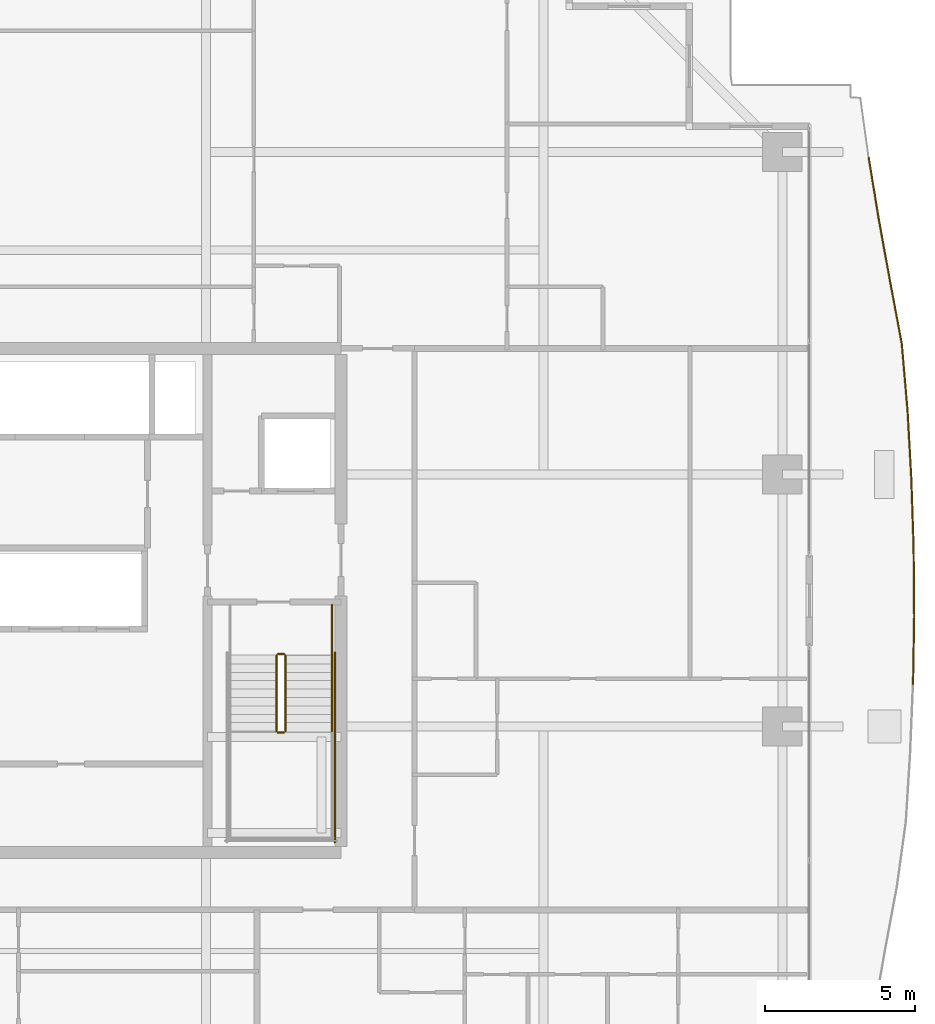
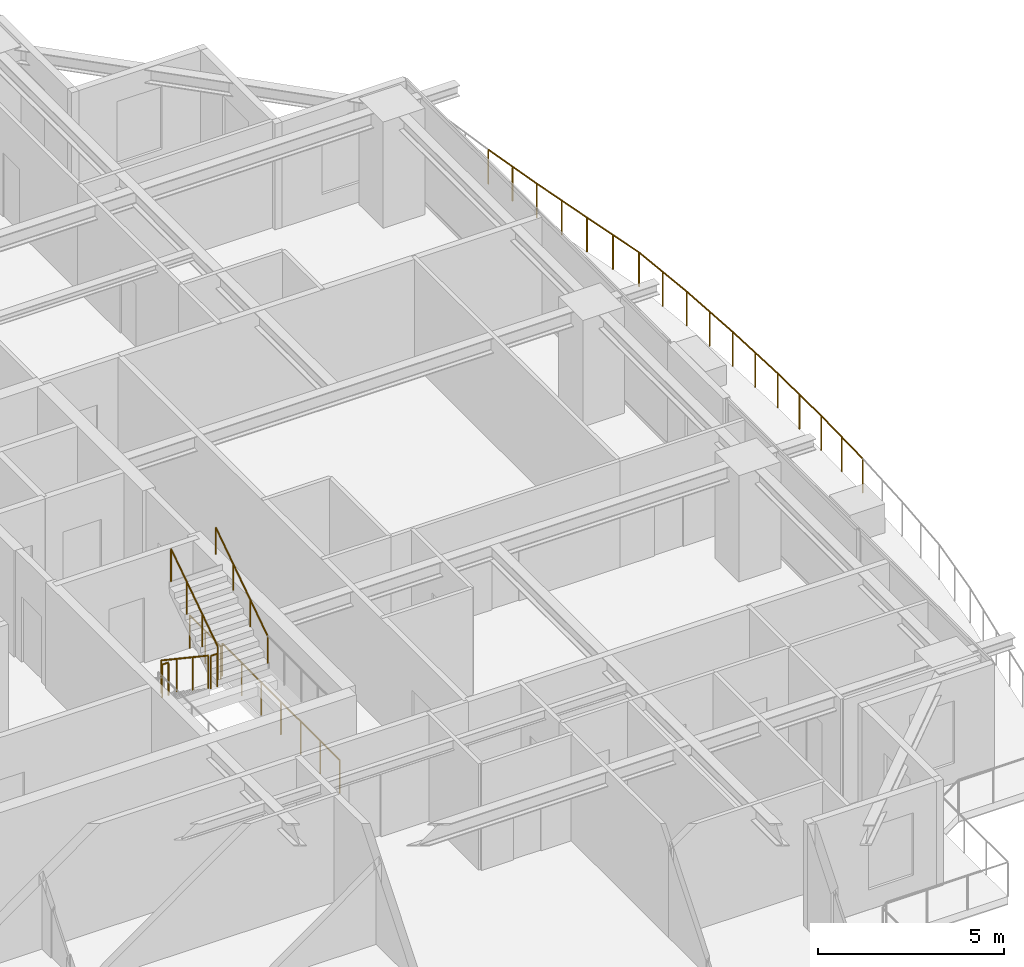
# One storey, part 32 of 33: 8 railings.
"""IFC4 building model written with IfcOpenShell, lengths in metres."""

from ifc_helpers import new_model, si_unit, direction, frame, origin, origin_2d, place, context, subcontext, project, spatial, circle, extrude, material, type_object, element, save


model = new_model("IFC4")

# Units and contexts
model_context = context("Model", 3, precision=1e-05, world=origin(), true_north=direction((0.0, 1.0)))
body_context = subcontext(model_context, "Body", "Model", "MODEL_VIEW")
ifc_project = project(units=[si_unit("LENGTHUNIT", "METRE"), si_unit("AREAUNIT", "SQUARE_METRE"), si_unit("VOLUMEUNIT", "CUBIC_METRE"), si_unit("PLANEANGLEUNIT", "RADIAN"), si_unit("MASSUNIT", "GRAM", prefix="KILO")], contexts=[model_context])

# Site, building, storey
site_placement = place(None, origin())
site = spatial("IfcSite", under=ifc_project, at=site_placement, CompositionType="ELEMENT")
building_placement = place(site_placement, origin())
building = spatial("IfcBuilding", under=site, at=building_placement, Name="Serunith Strait Residences", CompositionType="ELEMENT")
storey_placement = place(building_placement, frame((0.0, 0.0, 165.14990234375)))
storey = spatial("IfcBuildingStorey", under=building, at=storey_placement, Name="L41", CompositionType="ELEMENT", Elevation=165.14990234375)

# Railings
ifc_material_1 = material(Name="Stainless Steel & Laminated Glass Balustrade", Category="steel")
railing_type_1 = type_object("IfcRailingType", Name="RLG-BALC-1150", PredefinedType="BALUSTRADE", material=ifc_material_1)
railing_1_placement = place(storey_placement, frame((58.982666015625, 39.9501953125, -0.0498046875)))
element("IfcRailing", 1, at=railing_1_placement, inside=storey, type_object=railing_type_1, Name="L41 Swirling Balcony Perimeter Balustrade 5", PredefinedType="BALUSTRADE", context=body_context, shape_type="SweptSolid", body=[
    extrude(circle(Radius=0.02392578125, at=origin_2d()), frame((0.000244140625, -0.001953125, 1.1259765625), z_axis=(0.161134266289, -0.986932494261, 0.0), x_axis=(0.986932494261, 0.161134266289, 0.0)), (0.0, 0.0, 1.0), 2.0458984375),
    extrude(circle(Radius=0.02392578125, at=origin_2d()), frame((0.33056640625, -2.025146484375, 1.1259765625), z_axis=(0.1788854382, -0.9838699101, 0.0), x_axis=(0.9838699101, 0.1788854382, 0.0)), (0.0, 0.0, 1.0), 2.089599609375),
    extrude(circle(Radius=0.02392578125, at=origin_2d()), frame((0.705322265625, -4.0849609375, 1.1259765625), z_axis=(0.183966471948, -0.982932519148, 0.0), x_axis=(0.982932519148, 0.183966471948, 0.0)), (0.0, 0.0, 1.0), 2.147216796875),
    extrude(circle(Radius=0.02392578125, at=origin_2d()), frame((1.100830078125, -6.199462890625, 1.1259765625), z_axis=(0.086219359888, -0.996276177563, 0.0), x_axis=(0.996276177563, 0.086219359888, 0.0)), (0.0, 0.0, 1.0), 2.230224609375),
    extrude(circle(Radius=0.02392578125, at=origin_2d()), frame((1.293212890625, -8.42529296875, 1.1259765625), z_axis=(0.055267541765, -0.998471581382, 0.0), x_axis=(0.998471581382, 0.055267541765, 0.0)), (0.0, 0.0, 1.0), 2.2666015625),
    extrude(circle(Radius=0.02392578125, at=origin_2d()), frame((1.418701171875, -10.6923828125, 1.1259765625), z_axis=(0.033126858064, -0.999451155022, 0.0), x_axis=(0.999451155022, 0.033126858064, 0.0)), (0.0, 0.0, 1.0), 2.2880859375),
    extrude(circle(Radius=0.02392578125, at=origin_2d()), frame((1.49462890625, -12.983154296875, 1.1259765625), z_axis=(0.008378112985, -0.999964902996, 0.0), x_axis=(0.999964902996, 0.008378112985, 0.0)), (0.0, 0.0, 1.0), 2.298095703125),
    extrude(circle(Radius=0.02392578125, at=origin_2d()), frame((1.513916015625, -15.28515625, 1.1259765625), z_axis=(-0.01709242728, -0.999853913794, 0.0), x_axis=(0.999853913794, -0.01709242728, 0.0)), (0.0, 0.0, 1.0), 2.295654296875),
    extrude(circle(Radius=0.02099609375, at=origin_2d()), origin(), (0.0, 0.0, 1.0), 1.099853515625),
    extrude(circle(Radius=0.02099609375, at=origin_2d()), frame((0.1650390625, -1.01171875, 0.0)), (0.0, 0.0, 1.0), 1.099853515625),
    extrude(circle(Radius=0.02099609375, at=origin_2d()), frame((0.330322265625, -2.023193359375, 0.0)), (0.0, 0.0, 1.0), 1.099853515625),
    extrude(circle(Radius=0.02099609375, at=origin_2d()), frame((0.517578125, -3.05322265625, 0.0)), (0.0, 0.0, 1.0), 1.099853515625),
    extrude(circle(Radius=0.02099609375, at=origin_2d()), frame((0.704833984375, -4.0830078125, 0.0)), (0.0, 0.0, 1.0), 1.099853515625),
    extrude(circle(Radius=0.02099609375, at=origin_2d()), frame((0.90283203125, -5.14013671875, 0.0)), (0.0, 0.0, 1.0), 1.099853515625),
    extrude(circle(Radius=0.02099609375, at=origin_2d()), frame((1.1005859375, -6.197509765625, 0.0)), (0.0, 0.0, 1.0), 1.099853515625),
    extrude(circle(Radius=0.02099609375, at=origin_2d()), frame((1.19677734375, -7.310546875, 0.0)), (0.0, 0.0, 1.0), 1.099853515625),
    extrude(circle(Radius=0.02099609375, at=origin_2d()), frame((1.293212890625, -8.42333984375, 0.0)), (0.0, 0.0, 1.0), 1.099853515625),
    extrude(circle(Radius=0.02099609375, at=origin_2d()), frame((1.35595703125, -9.556884765625, 0.0)), (0.0, 0.0, 1.0), 1.099853515625),
    extrude(circle(Radius=0.02099609375, at=origin_2d()), frame((1.418701171875, -10.6904296875, 0.0)), (0.0, 0.0, 1.0), 1.099853515625),
    extrude(circle(Radius=0.02099609375, at=origin_2d()), frame((1.45654296875, -11.8359375, 0.0)), (0.0, 0.0, 1.0), 1.099853515625),
    extrude(circle(Radius=0.02099609375, at=origin_2d()), frame((1.49462890625, -12.981201171875, 0.0)), (0.0, 0.0, 1.0), 1.099853515625),
    extrude(circle(Radius=0.02099609375, at=origin_2d()), frame((1.50439453125, -14.13232421875, 0.0)), (0.0, 0.0, 1.0), 1.099853515625),
    extrude(circle(Radius=0.02099609375, at=origin_2d()), frame((1.513916015625, -15.283203125, 0.0)), (0.0, 0.0, 1.0), 1.099853515625),
    extrude(circle(Radius=0.02099609375, at=origin_2d()), frame((1.494140625, -16.432861328125, 0.0)), (0.0, 0.0, 1.0), 1.099853515625),
    extrude(circle(Radius=0.02099609375, at=origin_2d()), frame((1.474609375, -17.58251953125, 0.0)), (0.0, 0.0, 1.0), 1.099853515625),
])
ifc_material_2 = material(Name="Brushed stainless steel 316L", Category="steel")
railing_type_2 = type_object("IfcRailingType", Name="RLG-STAIR-GUARD", PredefinedType="BALUSTRADE", material=ifc_material_2)
railing_2_placement = place(storey_placement, frame((39.25, 23.3701171875, 0.1875)))
element("IfcRailing", 2, at=railing_2_placement, inside=storey, type_object=railing_type_2, Name="L41 ST-2 stair guard 1", PredefinedType="BALUSTRADE", context=body_context, shape_type="SweptSolid", body=[
    extrude(circle(Radius=0.02392578125, at=origin_2d()), frame((0.0, -0.001708984375, 1.0771484375), z_axis=(0.0, -0.830909170722, 0.55640807867), x_axis=(1.0, 0.0, 0.0)), (0.0, 0.0, 1.0), 3.02880859375),
    extrude(circle(Radius=0.02099609375, at=origin_2d()), origin(), (0.0, 0.0, 1.0), 1.050048828125),
    extrude(circle(Radius=0.02099609375, at=origin_2d()), frame((0.0, -0.840087890625, 0.5625)), (0.0, 0.0, 1.0), 1.050048828125),
    extrude(circle(Radius=0.02099609375, at=origin_2d()), frame((0.0, -1.679931640625, 1.125)), (0.0, 0.0, 1.0), 1.050048828125),
    extrude(circle(Radius=0.02099609375, at=origin_2d()), frame((0.0, -2.52001953125, 1.6875)), (0.0, 0.0, 1.0), 1.050048828125),
])
railing_3_placement = place(storey_placement, frame((39.300048828125, 20.800048828125, 1.875)))
element("IfcRailing", 3, at=railing_3_placement, inside=storey, type_object=railing_type_2, Name="L41 ST-2 stair guard 2", PredefinedType="BALUSTRADE", context=body_context, shape_type="SweptSolid", body=[
    extrude(circle(Radius=0.02392578125, at=origin_2d()), frame((0.001953125, 0.0, 1.076171875), z_axis=(1.0, 0.0, 0.0), x_axis=(0.0, 1.0, 0.0)), (0.0, 0.0, 1.0), 0.196044921875),
    extrude(circle(Radius=0.02099609375, at=origin_2d()), origin(), (0.0, 0.0, 1.0), 1.050048828125),
    extrude(circle(Radius=0.02099609375, at=origin_2d()), frame((0.199951171875, 0.0, 0.0)), (0.0, 0.0, 1.0), 1.050048828125),
])
railing_4_placement = place(storey_placement, frame((39.550048828125, 20.85009765625, 2.0625)))
element("IfcRailing", 4, at=railing_4_placement, inside=storey, type_object=railing_type_2, Name="L41 ST-2 stair guard 6", PredefinedType="BALUSTRADE", context=body_context, shape_type="SweptSolid", body=[
    extrude(circle(Radius=0.02392578125, at=origin_2d()), frame((0.0, 0.001708984375, 1.0771484375), z_axis=(0.0, 0.830909170722, 0.55640807867), x_axis=(-1.0, 0.0, 0.0)), (0.0, 0.0, 1.0), 3.02880859375),
    extrude(circle(Radius=0.02099609375, at=origin_2d()), origin(), (0.0, 0.0, 1.0), 1.050048828125),
    extrude(circle(Radius=0.02099609375, at=origin_2d()), frame((0.0, 0.840087890625, 0.5625)), (0.0, 0.0, 1.0), 1.050048828125),
    extrude(circle(Radius=0.02099609375, at=origin_2d()), frame((0.0, 1.679931640625, 1.125)), (0.0, 0.0, 1.0), 1.050048828125),
    extrude(circle(Radius=0.02099609375, at=origin_2d()), frame((0.0, 2.52001953125, 1.6875)), (0.0, 0.0, 1.0), 1.050048828125),
])
railing_5_placement = place(storey_placement, frame((39.300048828125, 23.419921875, 0.0)))
element("IfcRailing", 5, at=railing_5_placement, inside=storey, type_object=railing_type_2, Name="L41 ST-2 stair guard 7", PredefinedType="BALUSTRADE", context=body_context, shape_type="SweptSolid", body=[
    extrude(circle(Radius=0.02392578125, at=origin_2d()), frame((0.001953125, 0.0, 1.076171875), z_axis=(1.0, 0.0, 0.0), x_axis=(0.0, 1.0, 0.0)), (0.0, 0.0, 1.0), 0.196044921875),
    extrude(circle(Radius=0.02099609375, at=origin_2d()), origin(), (0.0, 0.0, 1.0), 1.050048828125),
    extrude(circle(Radius=0.02099609375, at=origin_2d()), frame((0.199951171875, 0.0, 0.0)), (0.0, 0.0, 1.0), 1.050048828125),
])
railing_6_placement = place(storey_placement, frame((41.10009765625, 25.050048828125, 0.0)))
element("IfcRailing", 6, at=railing_6_placement, inside=storey, type_object=railing_type_2, Name="L41 ST-2 stair guard 9", PredefinedType="BALUSTRADE", context=body_context, shape_type="SweptSolid", body=[
    extrude(circle(Radius=0.02392578125, at=origin_2d()), frame((0.0, -0.001953125, 1.076171875), z_axis=(0.0, -1.0, 0.0), x_axis=(1.0, 0.0, 0.0)), (0.0, 0.0, 1.0), 1.676025390625),
    extrude(circle(Radius=0.02099609375, at=origin_2d()), origin(), (0.0, 0.0, 1.0), 1.050048828125),
    extrude(circle(Radius=0.02099609375, at=origin_2d()), frame((0.0, -0.83984375, 0.0)), (0.0, 0.0, 1.0), 1.050048828125),
    extrude(circle(Radius=0.02099609375, at=origin_2d()), frame((0.0, -1.679931640625, 0.0)), (0.0, 0.0, 1.0), 1.050048828125),
])
railing_7_placement = place(storey_placement, frame((41.199951171875, 23.469970703125, 0.0)))
element("IfcRailing", 7, at=railing_7_placement, inside=storey, type_object=railing_type_2, Name="L41 ST-2 stair guard 11", PredefinedType="BALUSTRADE", context=body_context, shape_type="SweptSolid", body=[
    extrude(circle(Radius=0.02392578125, at=origin_2d()), frame((0.0, -0.001953125, 1.076171875), z_axis=(0.0, -1.0, 0.0), x_axis=(1.0, 0.0, 0.0)), (0.0, 0.0, 1.0), 6.316162109375),
    extrude(circle(Radius=0.02099609375, at=origin_2d()), origin(), (0.0, 0.0, 1.0), 1.050048828125),
    extrude(circle(Radius=0.02099609375, at=origin_2d()), frame((0.0, -1.05322265625, 0.0)), (0.0, 0.0, 1.0), 1.050048828125),
    extrude(circle(Radius=0.02099609375, at=origin_2d()), frame((0.0, -2.106689453125, 0.0)), (0.0, 0.0, 1.0), 1.050048828125),
    extrude(circle(Radius=0.02099609375, at=origin_2d()), frame((0.0, -3.16015625, 0.0)), (0.0, 0.0, 1.0), 1.050048828125),
    extrude(circle(Radius=0.02099609375, at=origin_2d()), frame((0.0, -4.21337890625, 0.0)), (0.0, 0.0, 1.0), 1.050048828125),
    extrude(circle(Radius=0.02099609375, at=origin_2d()), frame((0.0, -5.2666015625, 0.0)), (0.0, 0.0, 1.0), 1.050048828125),
    extrude(circle(Radius=0.02099609375, at=origin_2d()), frame((0.0, -6.320068359375, 0.0)), (0.0, 0.0, 1.0), 1.050048828125),
])
railing_type_3 = type_object("IfcRailingType", Name="RLG-STAIR-HR", PredefinedType="HANDRAIL", material=ifc_material_2)
railing_8_placement = place(storey_placement, frame((41.10009765625, 20.85009765625, 2.0625)))
element("IfcRailing", 8, at=railing_8_placement, inside=storey, type_object=railing_type_3, Name="L41 ST-2 stair handrail 2", PredefinedType="HANDRAIL", context=body_context, shape_type="SweptSolid", body=[
    extrude(circle(Radius=0.02392578125, at=origin_2d()), frame((0.0, 0.001708984375, 0.876953125), z_axis=(0.0, 0.830185712471, 0.557486935101), x_axis=(-1.0, 0.0, 0.0)), (0.0, 0.0, 1.0), 3.368408203125),
    extrude(circle(Radius=0.02099609375, at=origin_2d()), origin(), (0.0, 0.0, 1.0), 0.849853515625),
    extrude(circle(Radius=0.02099609375, at=origin_2d()), frame((0.0, 0.933349609375, 0.626708984375)), (0.0, 0.0, 1.0), 0.849853515625),
    extrude(circle(Radius=0.02099609375, at=origin_2d()), frame((0.0, 1.866455078125, 1.25341796875)), (0.0, 0.0, 1.0), 0.849853515625),
    extrude(circle(Radius=0.02099609375, at=origin_2d()), frame((0.0, 2.7998046875, 1.880126953125)), (0.0, 0.0, 1.0), 0.849853515625),
])

save(model, "model.ifc")
